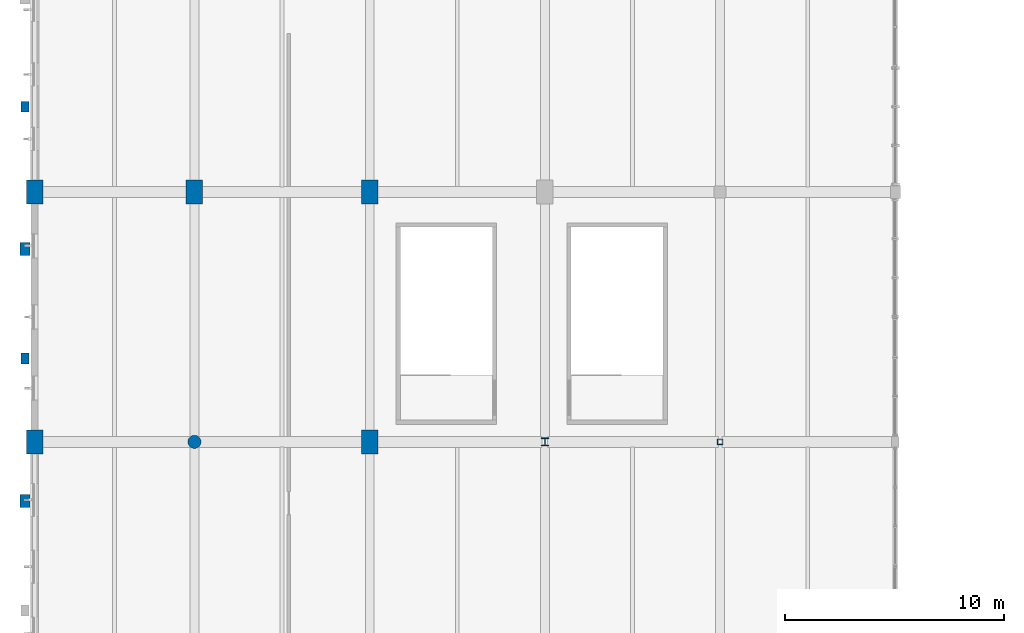
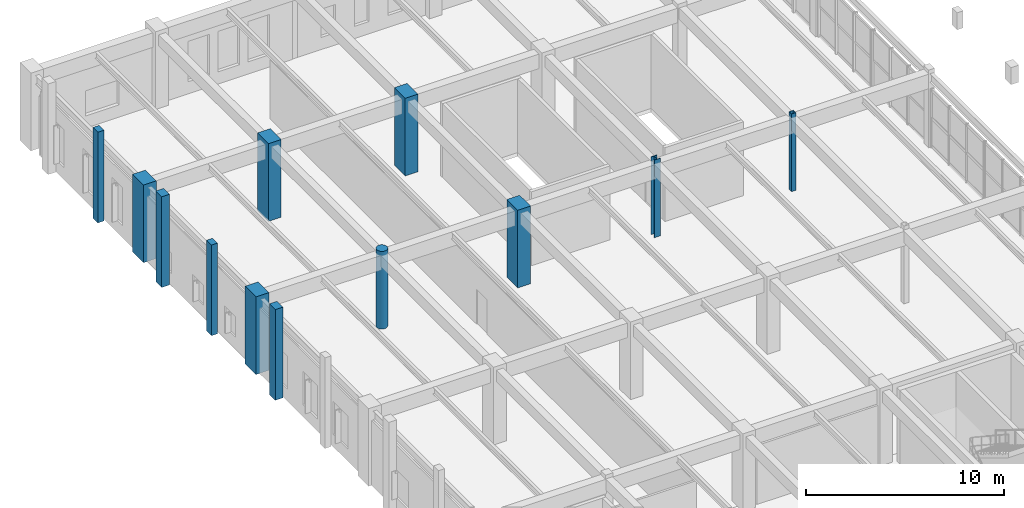
# One storey, part 7 of 106: 12 columns.
"""IFC4 building model written with IfcOpenShell, lengths in metres."""

from ifc_helpers import new_model, si_unit, direction, frame, origin, origin_2d, place, context, subcontext, project, spatial, rectangle, hollow_rectangle, circle, i_section, extrude, material, material_profile, profile_set, type_object, element, save


model = new_model("IFC4")

# Units and contexts
model_context = context("Model", 3, precision=1e-05, world=origin(), true_north=direction((0.0, 1.0)))
body_context = subcontext(model_context, "Body", "Model", "MODEL_VIEW")
ifc_project = project(units=[si_unit("LENGTHUNIT", "METRE"), si_unit("AREAUNIT", "SQUARE_METRE"), si_unit("VOLUMEUNIT", "CUBIC_METRE"), si_unit("PLANEANGLEUNIT", "RADIAN"), si_unit("MASSUNIT", "GRAM", prefix="KILO"), si_unit("POWERUNIT", "WATT"), si_unit("THERMODYNAMICTEMPERATUREUNIT", "KELVIN")], contexts=[model_context])

# Site, building, storey
site_placement = place(None, origin())
site = spatial("IfcSite", under=ifc_project, at=site_placement, CompositionType="ELEMENT")
building_placement = place(site_placement, origin())
building = spatial("IfcBuilding", under=site, at=building_placement, Name="Kelmbourne Parkland Aquatics Centre", CompositionType="ELEMENT")
storey_placement = place(building_placement, frame((0.0, 0.0, 5.39990234375)))
storey = spatial("IfcBuildingStorey", under=building, at=storey_placement, Name="L01", CompositionType="ELEMENT", Elevation=5.39990234375)

# Columns
ifc_material_1 = material(Name="Concrete C40/50", Category="concrete")
ifc_material_profile_1 = material_profile(ifc_material_1, rectangle(XDim=0.75, YDim=1.10009765625, at=origin_2d()), Name="RC 750x1100")
ifc_profile_set_1 = profile_set([ifc_material_profile_1], Name="Concrete C40/50")
column_type_1 = type_object("IfcColumnType", Name="COL-C03", PredefinedType="COLUMN", material=ifc_profile_set_1)
for number, where, z_axis, x_axis, name in (
    (1, (0.699951171875, 69.199951171875, 0.0), (0.0, 0.0, 1.0), (1.0, 0.0, 0.0), "Structural column A-10 (L01)"),
    (2, (0.699951171875, 80.60009765625, 0.0), (0.0, 0.0, 1.0), (1.0, 0.0, 0.0), "Structural column A-11 (L01)"),
    (3, (8.0, 80.60009765625, 0.0), (0.0, 0.0, 1.0), (1.0, 0.0, 0.0), "Structural column B-11 (L01)"),
    (4, (16.0, 69.199951171875, 0.0), (0.0, 0.0, 1.0), (1.0, 0.0, 0.0), "Structural column C-10 (L01)"),
    (5, (16.0, 80.60009765625, 0.0), (0.0, 0.0, 1.0), (1.0, 0.0, 0.0), "Structural column C-11 (L01)"),
):
    element("IfcColumn", number, at=place(storey_placement, frame(where, z_axis=z_axis, x_axis=x_axis)), inside=storey, type_object=column_type_1, Name=name, PredefinedType="COLUMN", context=body_context, shape_type="SweptSolid", body=[
        extrude(rectangle(XDim=0.75, YDim=1.10009765625, at=origin_2d()), origin(), (0.0, 0.0, 1.0), 4.800048828125),
    ])
ifc_material_profile_2 = material_profile(ifc_material_1, circle(Radius=0.300048828125, at=origin_2d()), Name="RC D600")
ifc_profile_set_2 = profile_set([ifc_material_profile_2], Name="Concrete C40/50")
column_type_2 = type_object("IfcColumnType", Name="COL-C10", PredefinedType="COLUMN", material=ifc_profile_set_2)
column_1_placement = place(storey_placement, frame((8.0, 69.199951171875, 0.0), z_axis=(0.0, 0.0, 1.0), x_axis=(1.0, 0.0, 0.0)))
element("IfcColumn", 6, at=column_1_placement, inside=storey, type_object=column_type_2, Name="Structural column B-10 (L01)", PredefinedType="COLUMN", context=body_context, shape_type="SweptSolid", body=[
    extrude(circle(Radius=0.300048828125, at=origin_2d()), origin(), (0.0, 0.0, 1.0), 4.800048828125),
])
ifc_material_2 = material(Name="Welded plate steel AS/NZS 3678 Grade 350", Category="steel")
ifc_material_profile_3 = material_profile(ifc_material_2, i_section(OverallWidth=0.35009765625, OverallDepth=0.35205078125, WebThickness=0.02001953125, FlangeThickness=0.031982421875, at=origin_2d()), Name="350WC230")
ifc_profile_set_3 = profile_set([ifc_material_profile_3], Name="Welded plate steel AS/NZS 3678 Grade 350")
column_type_3 = type_object("IfcColumnType", Name="COL-C13", PredefinedType="COLUMN", material=ifc_profile_set_3)
column_2_placement = place(storey_placement, frame((24.0, 69.199951171875, 0.0), z_axis=(0.0, 0.0, 1.0), x_axis=(1.0, 0.0, 0.0)))
element("IfcColumn", 7, at=column_2_placement, inside=storey, type_object=column_type_3, Name="Structural column D-10 (L01)", PredefinedType="COLUMN", context=body_context, shape_type="SweptSolid", body=[
    extrude(i_section(OverallWidth=0.35009765625, OverallDepth=0.35205078125, WebThickness=0.02001953125, FlangeThickness=0.031982421875, at=origin_2d()), origin(), (0.0, 0.0, 1.0), 4.800048828125),
])
ifc_material_3 = material(Name="Cold-formed hollow steel AS/NZS 1163 C350L0", Category="steel")
ifc_material_profile_4 = material_profile(ifc_material_3, hollow_rectangle(XDim=0.25, YDim=0.25, WallThickness=0.012451171875, at=origin_2d()), Name="SHS 250x250x12.5")
ifc_profile_set_4 = profile_set([ifc_material_profile_4], Name="Cold-formed hollow steel AS/NZS 1163 C350L0")
column_type_4 = type_object("IfcColumnType", Name="COL-C23", PredefinedType="COLUMN", material=ifc_profile_set_4)
column_3_placement = place(storey_placement, frame((32.0, 69.199951171875, 0.0), z_axis=(0.0, 0.0, 1.0), x_axis=(1.0, 0.0, 0.0)))
element("IfcColumn", 8, at=column_3_placement, inside=storey, type_object=column_type_4, Name="Structural column E-10 (L01)", PredefinedType="COLUMN", context=body_context, shape_type="SweptSolid", body=[
    extrude(hollow_rectangle(XDim=0.25, YDim=0.25, WallThickness=0.012451171875, at=origin_2d()), origin(), (0.0, 0.0, 1.0), 4.800048828125),
])
ifc_material_4 = material(Name="Clay brick masonry AS 3700 M12", Category="masonry")
ifc_material_profile_5 = material_profile(ifc_material_4, rectangle(XDim=0.35009765625, YDim=0.5, at=origin_2d()), Name="PIL 350x500")
ifc_profile_set_5 = profile_set([ifc_material_profile_5], Name="Clay brick masonry AS 3700 M12")
column_type_5 = type_object("IfcColumnType", Name="PIL-PL1", PredefinedType="PILASTER", material=ifc_profile_set_5)
for number, where, z_axis, x_axis, name in (
    (9, (0.260009765625, 73.0, 0.0), (0.0, 0.0, 1.0), (1.0, 0.0, 0.0), "Amsterdam School engaged brick buttress W-013 (L01)"),
    (10, (0.260009765625, 84.5, 0.0), (0.0, 0.0, 1.0), (1.0, 0.0, 0.0), "Amsterdam School engaged brick buttress W-015 (L01)"),
):
    element("IfcColumn", number, at=place(storey_placement, frame(where, z_axis=z_axis, x_axis=x_axis)), inside=storey, type_object=column_type_5, Name=name, PredefinedType="PILASTER", context=body_context, shape_type="SweptSolid", body=[
        extrude(rectangle(XDim=0.35009765625, YDim=0.5, at=origin_2d()), origin(), (0.0, 0.0, 1.0), 5.60009765625),
    ])
ifc_material_profile_6 = material_profile(ifc_material_4, rectangle(XDim=0.449951171875, YDim=0.60009765625, at=origin_2d()), Name="PIL 450x600")
ifc_profile_set_6 = profile_set([ifc_material_profile_6], Name="Clay brick masonry AS 3700 M12")
column_type_6 = type_object("IfcColumnType", Name="PIL-PL2", PredefinedType="PILASTER", material=ifc_profile_set_6)
for number, where, z_axis, x_axis, name in (
    (11, (0.260009765625, 66.5, 0.0), (0.0, 0.0, 1.0), (1.0, 0.0, 0.0), "Amsterdam School engaged brick buttress W-012 (L01)"),
    (12, (0.260009765625, 78.0, 0.0), (0.0, 0.0, 1.0), (1.0, 0.0, 0.0), "Amsterdam School engaged brick buttress W-014 (L01)"),
):
    element("IfcColumn", number, at=place(storey_placement, frame(where, z_axis=z_axis, x_axis=x_axis)), inside=storey, type_object=column_type_6, Name=name, PredefinedType="PILASTER", context=body_context, shape_type="SweptSolid", body=[
        extrude(rectangle(XDim=0.449951171875, YDim=0.60009765625, at=origin_2d()), origin(), (0.0, 0.0, 1.0), 5.60009765625),
    ])

save(model, "model.ifc")
